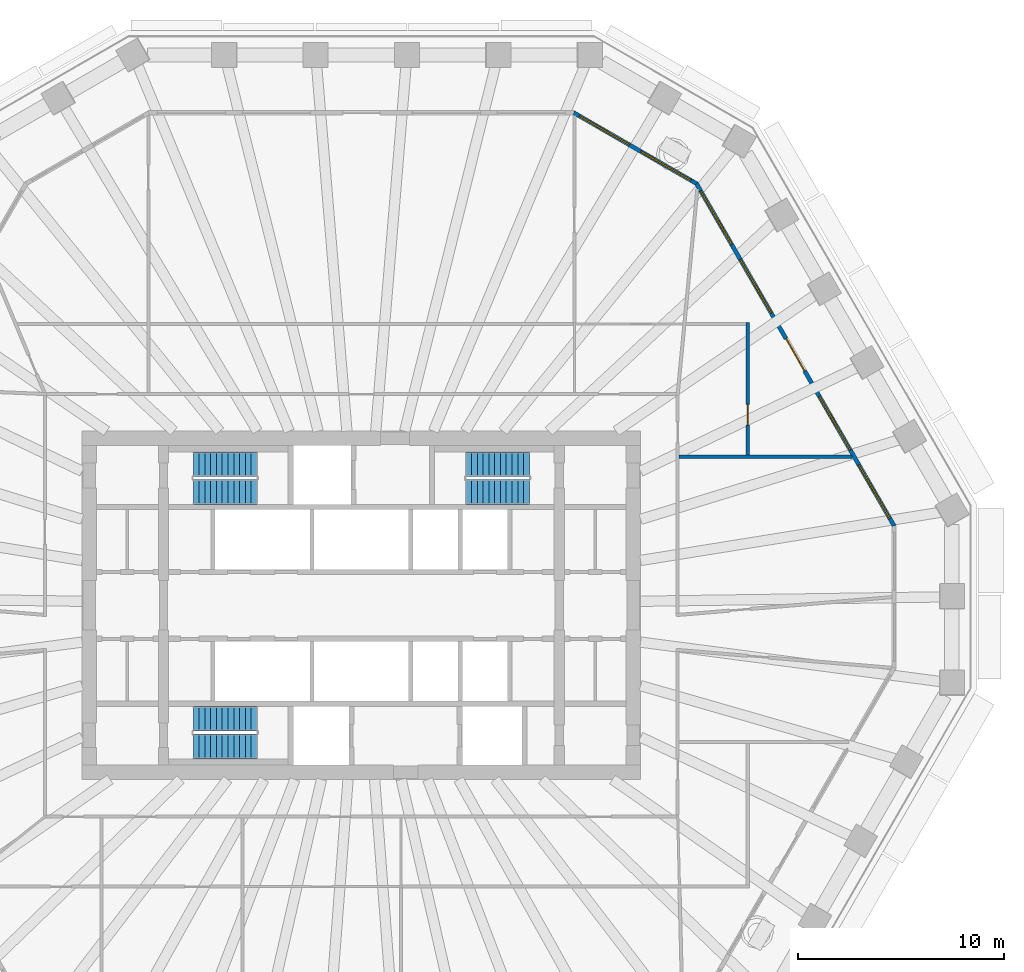
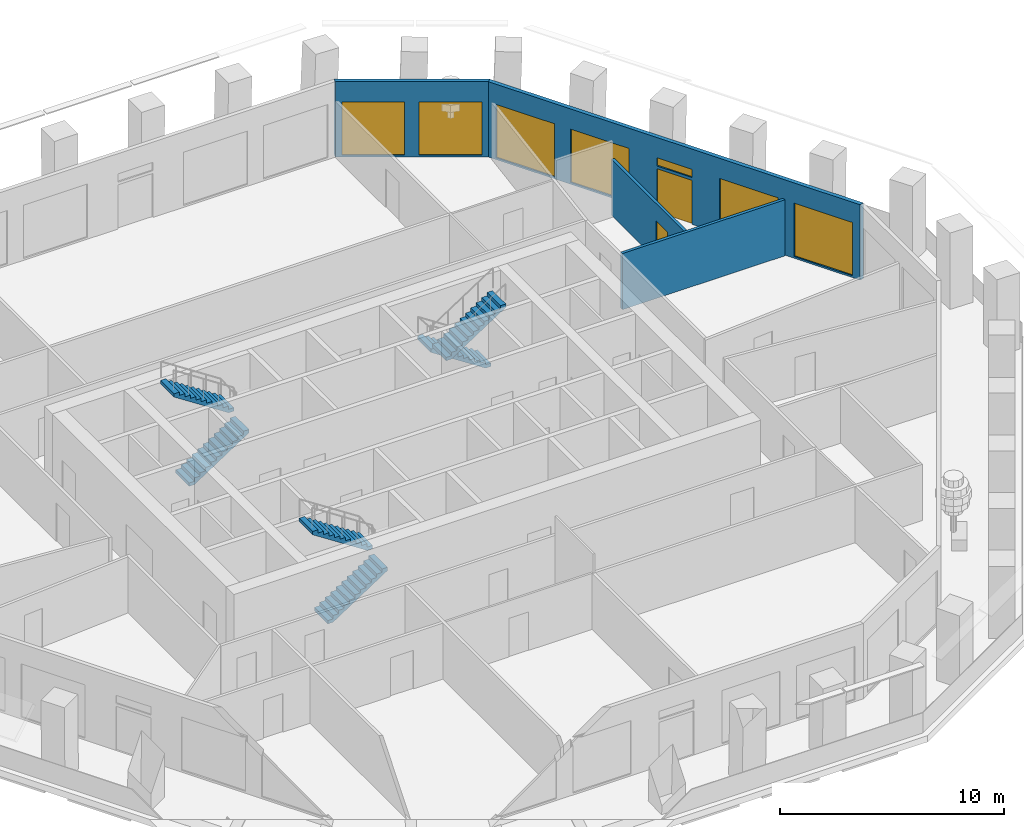
# One storey, part 8 of 12: 7 windows, 6 stair flights, 4 walls, 2 doors, 9 openings, 3 elements without a shape of their own.
"""IFC4 building model written with IfcOpenShell, lengths in metres."""

from ifc_helpers import new_model, si_unit, direction, frame, frame_2d, origin, place, context, subcontext, project, spatial, polyline, rectangle, outline, extrude, material, layer, layer_set, type_object, element, fill, aggregate, save


model = new_model("IFC4")

# Units and contexts
model_context = context("Model", 3, precision=1e-05, world=origin(), true_north=direction((0.0, 1.0)))
body_context = subcontext(model_context, "Body", "Model", "MODEL_VIEW")
ifc_project = project(units=[si_unit("LENGTHUNIT", "METRE"), si_unit("AREAUNIT", "SQUARE_METRE"), si_unit("VOLUMEUNIT", "CUBIC_METRE"), si_unit("PLANEANGLEUNIT", "RADIAN"), si_unit("MASSUNIT", "GRAM", prefix="KILO")], contexts=[model_context])

# Site, building, storey
site_placement = place(None, origin())
site = spatial("IfcSite", under=ifc_project, at=site_placement, CompositionType="ELEMENT")
building_placement = place(site_placement, origin())
building = spatial("IfcBuilding", under=site, at=building_placement, Name="Frailejon Research Tower", CompositionType="ELEMENT")
storey_placement = place(building_placement, frame((0.0, 0.0, 158.39990234375)))
storey = spatial("IfcBuildingStorey", under=building, at=storey_placement, Name="L34", CompositionType="ELEMENT", Elevation=158.39990234375)

# Wall
ifc_material_1 = material(Name="Gypsum board and masonry partition", Category="masonry")
ifc_layer_1 = layer(ifc_material_1, 0.14990234375)
ifc_layer_set_1 = layer_set([ifc_layer_1], Name="Laboratory partition, blockwork 150")
wall_type_1 = type_object("IfcWallType", Name="Laboratory partition, blockwork 150", PredefinedType="PARTITIONING", material=ifc_layer_set_1)
wall_1_placement = place(storey_placement, frame((15.425048828125, 7.210205078125, 0.0), z_axis=(0.0, 0.0, 1.0), x_axis=(1.0, 0.0, 0.0)))
element("IfcWall", 1, at=wall_1_placement, inside=storey, type_object=wall_type_1, Name="T:IW:L34:011", PredefinedType="PARTITIONING", context=body_context, shape_type="SweptSolid", body=[
    extrude(rectangle(XDim=8.373046875, YDim=0.14990234375, at=frame_2d((4.1865234375, 0.0))), origin(), (0.0, 0.0, 1.0), 3.050048828125),
])

# Wall, opening, door
wall_2_placement = place(storey_placement, frame((18.75, 7.285400390625, 0.0), z_axis=(0.0, 0.0, 1.0), x_axis=(0.0, 1.0, 0.0)))
wall_2 = element("IfcWall", 2, at=wall_2_placement, inside=storey, type_object=wall_type_1, Name="T:IW:L34:015", PredefinedType="PARTITIONING", context=body_context, shape_type="SweptSolid", body=[
    extrude(rectangle(XDim=6.439697265625, YDim=0.14990234375, at=frame_2d((3.2197265625, 0.0))), origin(), (0.0, 0.0, 1.0), 3.050048828125),
])
opening_1_placement = place(wall_2_placement, frame((1.4599609375, 0.0, 0.0)))
opening_1 = element("IfcOpeningElement", 3, at=opening_1_placement, cuts=wall_2, Name="Opening D1736", PredefinedType="OPENING", context=body_context, shape_type="SweptSolid", body=[
    extrude(rectangle(XDim=1.0, YDim=2.10009765625, at=frame_2d((0.5, 1.050048828125))), frame((0.0, 0.0849609375, 0.0), z_axis=(0.0, -1.0, 0.0), x_axis=(1.0, 0.0, 0.0)), (0.0, 0.0, 1.0), 0.169921875),
])
ifc_material_2 = material(Name="Timber door leaf", Category="wood")
door_type_1 = type_object("IfcDoorType", Name="Door laboratory, timber, vision panel 1000", OperationType="NOTDEFINED", PredefinedType="DOOR", material=ifc_material_2)
door_1_placement = place(opening_1_placement, origin())
door_1 = element("IfcDoor", 4, at=door_1_placement, inside=storey, type_object=door_type_1, Name="D1736", OperationType="SINGLE_SWING_RIGHT", OverallHeight=2.10009765625, OverallWidth=1.0, PredefinedType="DOOR", context=body_context, shape_type="SweptSolid", body=[
    extrude(rectangle(XDim=1.0, YDim=2.10009765625, at=frame_2d((0.5, 1.050048828125))), frame((0.0, 0.02490234375, 0.0), z_axis=(0.0, -1.0, 0.0), x_axis=(1.0, 0.0, 0.0)), (0.0, 0.0, 1.0), 0.050048828125),
])
fill(opening_1, door_1)

# Wall, openings, door, windows
ifc_material_3 = material(Name="Concrete C40/50 precast window wall panel", Category="concrete")
ifc_layer_2 = layer(ifc_material_3, 0.199951171875)
ifc_layer_set_2 = layer_set([ifc_layer_2], Name="Window wall 200")
wall_type_2 = type_object("IfcWallType", Name="Window wall 200", PredefinedType="SOLIDWALL", material=ifc_layer_set_2)
wall_3_placement = place(storey_placement, frame((25.852294921875, 3.85205078125, 0.0), z_axis=(0.0, 0.0, 1.0), x_axis=(-0.499998279088, 0.866026397351, 0.0)))
wall_3 = element("IfcWall", 5, at=wall_3_placement, inside=storey, type_object=wall_type_2, Name="Exterior wall L34", PredefinedType="SOLIDWALL", context=body_context, shape_type="SweptSolid", body=[
    extrude(outline(polyline([(-0.02685546875, -0.10009765625), (0.9853515625, -0.10009765625), (1.997802734375, -0.10009765625), (3.010009765625, -0.10009765625), (4.0224609375, -0.10009765625), (5.03466796875, -0.10009765625), (6.047119140625, -0.10009765625), (7.059326171875, -0.10009765625), (8.071533203125, -0.10009765625), (9.083984375, -0.10009765625), (10.09619140625, -0.10009765625), (11.108642578125, -0.10009765625), (12.120849609375, -0.10009765625), (13.133056640625, -0.10009765625), (14.1455078125, -0.10009765625), (15.15771484375, -0.10009765625), (16.170166015625, -0.10009765625), (17.182373046875, -0.10009765625), (18.19482421875, -0.10009765625), (19.20703125, -0.10009765625), (19.1533203125, 0.10009765625), (18.146728515625, 0.10009765625), (17.139892578125, 0.10009765625), (16.13330078125, 0.10009765625), (15.126708984375, 0.10009765625), (14.1201171875, 0.10009765625), (13.11328125, 0.10009765625), (12.106689453125, 0.10009765625), (11.10009765625, 0.10009765625), (10.093505859375, 0.10009765625), (9.086669921875, 0.10009765625), (8.080078125, 0.10009765625), (7.073486328125, 0.10009765625), (6.06689453125, 0.10009765625), (5.06005859375, 0.10009765625), (4.053466796875, 0.10009765625), (3.046875, 0.10009765625), (2.040283203125, 0.10009765625), (1.033447265625, 0.10009765625), (0.02685546875, 0.10009765625), (-0.02685546875, -0.10009765625)])), origin(), (0.0, 0.0, 1.0), 4.10009765625),
])
opening_2_placement = place(wall_3_placement, frame((0.41796875, 0.0, 0.10009765625)))
opening_2 = element("IfcOpeningElement", 6, at=opening_2_placement, cuts=wall_3, Name="Opening W4", PredefinedType="OPENING", context=body_context, shape_type="SweptSolid", body=[
    extrude(rectangle(XDim=3.0, YDim=2.89990234375, at=frame_2d((1.5, 1.449951171875))), frame((0.0, 0.10986328125, 0.0), z_axis=(0.0, -1.0, 0.0), x_axis=(1.0, 0.0, 0.0)), (0.0, 0.0, 1.0), 0.219970703125),
])
opening_3_placement = place(wall_3_placement, frame((4.254150390625, 0.0, 0.10009765625)))
opening_3 = element("IfcOpeningElement", 7, at=opening_3_placement, cuts=wall_3, Name="Opening W4", PredefinedType="OPENING", context=body_context, shape_type="SweptSolid", body=[
    extrude(rectangle(XDim=3.0, YDim=2.89990234375, at=frame_2d((1.5, 1.449951171875))), frame((0.0, 0.10986328125, 0.0), z_axis=(0.0, -1.0, 0.0), x_axis=(1.0, 0.0, 0.0)), (0.0, 0.0, 1.0), 0.219970703125),
])
opening_4_placement = place(wall_3_placement, frame((8.690185546875, 0.0, 0.0)))
opening_4 = element("IfcOpeningElement", 8, at=opening_4_placement, cuts=wall_3, Name="Opening LG34-1", PredefinedType="OPENING", context=body_context, shape_type="SweptSolid", body=[
    extrude(rectangle(XDim=1.800048828125, YDim=2.39990234375, at=frame_2d((0.89990234375, 1.199951171875))), frame((0.0, 0.10986328125, 0.0), z_axis=(0.0, -1.0, 0.0), x_axis=(1.0, 0.0, 0.0)), (0.0, 0.0, 1.0), 0.219970703125),
])
opening_5_placement = place(wall_3_placement, frame((8.690185546875, 0.0, 2.550048828125)))
opening_5 = element("IfcOpeningElement", 9, at=opening_5_placement, cuts=wall_3, Name="Opening W1", PredefinedType="OPENING", context=body_context, shape_type="SweptSolid", body=[
    extrude(rectangle(XDim=1.800048828125, YDim=0.449951171875, at=frame_2d((0.89990234375, 0.22509765625))), frame((0.0, 0.10986328125, 0.0), z_axis=(0.0, -1.0, 0.0), x_axis=(1.0, 0.0, 0.0)), (0.0, 0.0, 1.0), 0.219970703125),
])
opening_6_placement = place(wall_3_placement, frame((11.92626953125, 0.0, 0.10009765625)))
opening_6 = element("IfcOpeningElement", 10, at=opening_6_placement, cuts=wall_3, Name="Opening W4", PredefinedType="OPENING", context=body_context, shape_type="SweptSolid", body=[
    extrude(rectangle(XDim=3.0, YDim=2.89990234375, at=frame_2d((1.5, 1.449951171875))), frame((0.0, 0.10986328125, 0.0), z_axis=(0.0, -1.0, 0.0), x_axis=(1.0, 0.0, 0.0)), (0.0, 0.0, 1.0), 0.219970703125),
])
opening_7_placement = place(wall_3_placement, frame((15.76220703125, 0.0, 0.10009765625)))
opening_7 = element("IfcOpeningElement", 11, at=opening_7_placement, cuts=wall_3, Name="Opening W4", PredefinedType="OPENING", context=body_context, shape_type="SweptSolid", body=[
    extrude(rectangle(XDim=3.0, YDim=2.89990234375, at=frame_2d((1.5, 1.449951171875))), frame((0.0, 0.10986328125, 0.0), z_axis=(0.0, -1.0, 0.0), x_axis=(1.0, 0.0, 0.0)), (0.0, 0.0, 1.0), 0.219970703125),
])
ifc_material_4 = material(Name="Aluminium framed glazed door leaf", Category="aluminium")
door_type_2 = type_object("IfcDoorType", Name="Loggia door 1800x2400", OperationType="DOUBLE_DOOR_SINGLE_SWING", PredefinedType="DOOR", material=ifc_material_4)
door_2_placement = place(opening_4_placement, origin())
door_2 = element("IfcDoor", 12, at=door_2_placement, inside=storey, type_object=door_type_2, Name="Door LG34-1", OperationType="DOUBLE_DOOR_SINGLE_SWING", OverallHeight=2.39990234375, OverallWidth=1.800048828125, PredefinedType="DOOR", context=body_context, shape_type="SweptSolid", body=[
    extrude(rectangle(XDim=1.800048828125, YDim=2.39990234375, at=frame_2d((0.89990234375, 1.199951171875))), frame((0.0, 0.02490234375, 0.0), z_axis=(0.0, -1.0, 0.0), x_axis=(1.0, 0.0, 0.0)), (0.0, 0.0, 1.0), 0.050048828125),
])
fill(opening_4, door_2)
ifc_material_5 = material(Name="Aluminium framed double glazing", Category="aluminium")
window_type_1 = type_object("IfcWindowType", Name="Window 1800x450", PartitioningType="SINGLE_PANEL", PredefinedType="WINDOW", material=ifc_material_5)
window_1_placement = place(opening_5_placement, origin())
window_1 = element("IfcWindow", 13, at=window_1_placement, inside=storey, type_object=window_type_1, Name="Window L34", OverallHeight=0.449951171875, OverallWidth=1.800048828125, PartitioningType="SINGLE_PANEL", PredefinedType="WINDOW", context=body_context, shape_type="SweptSolid", body=[
    extrude(rectangle(XDim=1.800048828125, YDim=0.449951171875, at=frame_2d((0.89990234375, 0.22509765625))), frame((0.0, 0.030029296875, 0.0), z_axis=(0.0, -1.0, 0.0), x_axis=(1.0, 0.0, 0.0)), (0.0, 0.0, 1.0), 0.06005859375),
])
fill(opening_5, window_1)
ifc_material_6 = material(Name="Aluminium framed double glazing", Category="aluminium")
window_type_2 = type_object("IfcWindowType", Name="Window 3000x2900", PartitioningType="SINGLE_PANEL", PredefinedType="WINDOW", material=ifc_material_6)
window_2_placement = place(opening_2_placement, origin())
window_2 = element("IfcWindow", 14, at=window_2_placement, inside=storey, type_object=window_type_2, Name="Window L34", OverallHeight=2.89990234375, OverallWidth=3.0, PartitioningType="SINGLE_PANEL", PredefinedType="WINDOW", context=body_context, shape_type="SweptSolid", body=[
    extrude(rectangle(XDim=3.0, YDim=2.89990234375, at=frame_2d((1.5, 1.449951171875))), frame((0.0, 0.030029296875, 0.0), z_axis=(0.0, -1.0, 0.0), x_axis=(1.0, 0.0, 0.0)), (0.0, 0.0, 1.0), 0.06005859375),
])
fill(opening_2, window_2)
window_3_placement = place(opening_3_placement, origin())
window_3 = element("IfcWindow", 15, at=window_3_placement, inside=storey, type_object=window_type_2, Name="Window L34", OverallHeight=2.89990234375, OverallWidth=3.0, PartitioningType="SINGLE_PANEL", PredefinedType="WINDOW", context=body_context, shape_type="SweptSolid", body=[
    extrude(rectangle(XDim=3.0, YDim=2.89990234375, at=frame_2d((1.5, 1.449951171875))), frame((0.0, 0.030029296875, 0.0), z_axis=(0.0, -1.0, 0.0), x_axis=(1.0, 0.0, 0.0)), (0.0, 0.0, 1.0), 0.06005859375),
])
fill(opening_3, window_3)
window_4_placement = place(opening_6_placement, origin())
window_4 = element("IfcWindow", 16, at=window_4_placement, inside=storey, type_object=window_type_2, Name="Window L34", OverallHeight=2.89990234375, OverallWidth=3.0, PartitioningType="SINGLE_PANEL", PredefinedType="WINDOW", context=body_context, shape_type="SweptSolid", body=[
    extrude(rectangle(XDim=3.0, YDim=2.89990234375, at=frame_2d((1.5, 1.449951171875))), frame((0.0, 0.030029296875, 0.0), z_axis=(0.0, -1.0, 0.0), x_axis=(1.0, 0.0, 0.0)), (0.0, 0.0, 1.0), 0.06005859375),
])
fill(opening_6, window_4)
window_5_placement = place(opening_7_placement, origin())
window_5 = element("IfcWindow", 17, at=window_5_placement, inside=storey, type_object=window_type_2, Name="Window L34", OverallHeight=2.89990234375, OverallWidth=3.0, PartitioningType="SINGLE_PANEL", PredefinedType="WINDOW", context=body_context, shape_type="SweptSolid", body=[
    extrude(rectangle(XDim=3.0, YDim=2.89990234375, at=frame_2d((1.5, 1.449951171875))), frame((0.0, 0.030029296875, 0.0), z_axis=(0.0, -1.0, 0.0), x_axis=(1.0, 0.0, 0.0)), (0.0, 0.0, 1.0), 0.06005859375),
])
fill(opening_7, window_5)

# Wall, openings, windows
wall_4_placement = place(storey_placement, frame((16.26220703125, 20.462646484375, 0.0), z_axis=(0.0, 0.0, 1.0), x_axis=(-0.866029458321, 0.49999297727, 0.0)))
wall_4 = element("IfcWall", 18, at=wall_4_placement, inside=storey, type_object=wall_type_2, Name="Exterior wall L34", PredefinedType="SOLIDWALL", context=body_context, shape_type="SweptSolid", body=[
    extrude(outline(polyline([(-0.02685546875, -0.10009765625), (1.1279296875, -0.10009765625), (2.282470703125, -0.10009765625), (3.437255859375, -0.10009765625), (4.592041015625, -0.10009765625), (5.74658203125, -0.10009765625), (6.9013671875, -0.10009765625), (6.84765625, 0.10009765625), (5.7109375, 0.10009765625), (4.573974609375, 0.10009765625), (3.437255859375, 0.10009765625), (2.300537109375, 0.10009765625), (1.16357421875, 0.10009765625), (0.02685546875, 0.10009765625), (-0.02685546875, -0.10009765625)])), origin(), (0.0, 0.0, 1.0), 4.10009765625),
])
opening_8_placement = place(wall_4_placement, frame((0.318603515625, 0.0, 0.10009765625)))
opening_8 = element("IfcOpeningElement", 19, at=opening_8_placement, cuts=wall_4, Name="Opening W3", PredefinedType="OPENING", context=body_context, shape_type="SweptSolid", body=[
    extrude(rectangle(XDim=2.800048828125, YDim=2.89990234375, at=frame_2d((1.39990234375, 1.449951171875))), frame((0.0, 0.10986328125, 0.0), z_axis=(0.0, -1.0, 0.0), x_axis=(1.0, 0.0, 0.0)), (0.0, 0.0, 1.0), 0.219970703125),
])
opening_9_placement = place(wall_4_placement, frame((3.756103515625, 0.0, 0.10009765625)))
opening_9 = element("IfcOpeningElement", 20, at=opening_9_placement, cuts=wall_4, Name="Opening W3", PredefinedType="OPENING", context=body_context, shape_type="SweptSolid", body=[
    extrude(rectangle(XDim=2.800048828125, YDim=2.89990234375, at=frame_2d((1.39990234375, 1.449951171875))), frame((0.0, 0.10986328125, 0.0), z_axis=(0.0, -1.0, 0.0), x_axis=(1.0, 0.0, 0.0)), (0.0, 0.0, 1.0), 0.219970703125),
])
ifc_material_7 = material(Name="Aluminium framed double glazing", Category="aluminium")
window_type_3 = type_object("IfcWindowType", Name="Window 2800x2900", PartitioningType="SINGLE_PANEL", PredefinedType="WINDOW", material=ifc_material_7)
window_6_placement = place(opening_8_placement, origin())
window_6 = element("IfcWindow", 21, at=window_6_placement, inside=storey, type_object=window_type_3, Name="Window L34", OverallHeight=2.89990234375, OverallWidth=2.800048828125, PartitioningType="SINGLE_PANEL", PredefinedType="WINDOW", context=body_context, shape_type="SweptSolid", body=[
    extrude(rectangle(XDim=2.800048828125, YDim=2.89990234375, at=frame_2d((1.39990234375, 1.449951171875))), frame((0.0, 0.030029296875, 0.0), z_axis=(0.0, -1.0, 0.0), x_axis=(1.0, 0.0, 0.0)), (0.0, 0.0, 1.0), 0.06005859375),
])
fill(opening_8, window_6)
window_7_placement = place(opening_9_placement, origin())
window_7 = element("IfcWindow", 22, at=window_7_placement, inside=storey, type_object=window_type_3, Name="Window L34", OverallHeight=2.89990234375, OverallWidth=2.800048828125, PartitioningType="SINGLE_PANEL", PredefinedType="WINDOW", context=body_context, shape_type="SweptSolid", body=[
    extrude(rectangle(XDim=2.800048828125, YDim=2.89990234375, at=frame_2d((1.39990234375, 1.449951171875))), frame((0.0, 0.030029296875, 0.0), z_axis=(0.0, -1.0, 0.0), x_axis=(1.0, 0.0, 0.0)), (0.0, 0.0, 1.0), 0.06005859375),
])
fill(opening_9, window_7)

# Stair, stair flights
ifc_material_8 = material(Name="Concrete C50/60", Category="concrete")
stair_type = type_object("IfcStairType", Name="Exit stair 24 risers", PredefinedType="HALF_TURN_STAIR", material=ifc_material_8)
stair_1_placement = place(storey_placement, origin())
stair_1 = element("IfcStair", 23, at=stair_1_placement, inside=storey, type_object=stair_type, Name="L34 Exit stair ST1", PredefinedType="HALF_TURN_STAIR")
ifc_material_9 = material(Name="Concrete C50/60", Category="concrete")
ifc_layer_3 = layer(ifc_material_9, 0.14990234375)
ifc_layer_set_3 = layer_set([ifc_layer_3], Name="Stair flight 12 risers")
stair_flight_type = type_object("IfcStairFlightType", Name="Stair flight 12 risers", PredefinedType="STRAIGHT", material=ifc_layer_set_3)
stair_flight_1_placement = place(storey_placement, frame((-8.14990234375, 5.5, 0.0), z_axis=(0.0, 0.0, 1.0), x_axis=(1.0, 0.0, 0.0)))
stair_flight_1 = element("IfcStairFlight", 24, at=stair_flight_1_placement, type_object=stair_flight_type, Name="ST1 flight 1", NumberOfRisers=12, NumberOfTreads=11, PredefinedType="STRAIGHT", RiserHeight=0.183333333, TreadLength=0.28, context=body_context, shape_type="SweptSolid", body=[
    extrude(outline(polyline([(0.0, 0.0), (0.0, 0.183349609375), (0.280029296875, 0.183349609375), (0.280029296875, 0.36669921875), (0.56005859375, 0.36669921875), (0.56005859375, 0.550048828125), (0.840087890625, 0.550048828125), (0.840087890625, 0.7333984375), (1.1201171875, 0.7333984375), (1.1201171875, 0.916748046875), (1.39990234375, 0.916748046875), (1.39990234375, 1.10009765625), (1.679931640625, 1.10009765625), (1.679931640625, 1.283447265625), (1.9599609375, 1.283447265625), (1.9599609375, 1.466552734375), (2.239990234375, 1.466552734375), (2.239990234375, 1.64990234375), (2.52001953125, 1.64990234375), (2.52001953125, 1.833251953125), (2.800048828125, 1.833251953125), (2.800048828125, 2.0166015625), (3.080078125, 2.0166015625), (3.080078125, 2.199951171875), (3.080078125, 1.83740234375), (0.273681640625, 0.0), (0.0, 0.0)])), frame((0.0, 0.60009765625, 0.0), z_axis=(0.0, -1.0, 0.0), x_axis=(1.0, 0.0, 0.0)), (0.0, 0.0, 1.0), 1.199951171875),
])
stair_flight_2_placement = place(storey_placement, frame((-5.070068359375, 6.85009765625, 2.2001953125), z_axis=(0.0, 0.0, 1.0), x_axis=(-1.0, 0.0, 0.0)))
stair_flight_2 = element("IfcStairFlight", 25, at=stair_flight_2_placement, type_object=stair_flight_type, Name="ST1 flight 2", NumberOfRisers=12, NumberOfTreads=11, PredefinedType="STRAIGHT", RiserHeight=0.183333333, TreadLength=0.28, context=body_context, shape_type="SweptSolid", body=[
    extrude(outline(polyline([(0.0, 0.0), (0.0, 0.183349609375), (0.280029296875, 0.183349609375), (0.280029296875, 0.36669921875), (0.56005859375, 0.36669921875), (0.56005859375, 0.550048828125), (0.840087890625, 0.550048828125), (0.840087890625, 0.7333984375), (1.1201171875, 0.7333984375), (1.1201171875, 0.916748046875), (1.39990234375, 0.916748046875), (1.39990234375, 1.10009765625), (1.679931640625, 1.10009765625), (1.679931640625, 1.283447265625), (1.9599609375, 1.283447265625), (1.9599609375, 1.466552734375), (2.239990234375, 1.466552734375), (2.239990234375, 1.64990234375), (2.52001953125, 1.64990234375), (2.52001953125, 1.833251953125), (2.800048828125, 1.833251953125), (2.800048828125, 2.0166015625), (3.080078125, 2.0166015625), (3.080078125, 2.199951171875), (3.080078125, 1.83740234375), (0.273681640625, 0.0), (0.0, 0.0)])), frame((0.0, 0.60009765625, 0.0), z_axis=(0.0, -1.0, 0.0), x_axis=(1.0, 0.0, 0.0)), (0.0, 0.0, 1.0), 1.199951171875),
])
aggregate(stair_1, [stair_flight_1, stair_flight_2])

stair_2_placement = place(storey_placement, origin())
stair_2 = element("IfcStair", 26, at=stair_2_placement, inside=storey, type_object=stair_type, Name="L34 Exit stair ST2", PredefinedType="HALF_TURN_STAIR")
stair_flight_3_placement = place(storey_placement, frame((-8.14990234375, -6.85009765625, 0.0), z_axis=(0.0, 0.0, 1.0), x_axis=(1.0, 0.0, 0.0)))
stair_flight_3 = element("IfcStairFlight", 27, at=stair_flight_3_placement, type_object=stair_flight_type, Name="ST2 flight 1", NumberOfRisers=12, NumberOfTreads=11, PredefinedType="STRAIGHT", RiserHeight=0.183333333, TreadLength=0.28, context=body_context, shape_type="SweptSolid", body=[
    extrude(outline(polyline([(0.0, 0.0), (0.0, 0.183349609375), (0.280029296875, 0.183349609375), (0.280029296875, 0.36669921875), (0.56005859375, 0.36669921875), (0.56005859375, 0.550048828125), (0.840087890625, 0.550048828125), (0.840087890625, 0.7333984375), (1.1201171875, 0.7333984375), (1.1201171875, 0.916748046875), (1.39990234375, 0.916748046875), (1.39990234375, 1.10009765625), (1.679931640625, 1.10009765625), (1.679931640625, 1.283447265625), (1.9599609375, 1.283447265625), (1.9599609375, 1.466552734375), (2.239990234375, 1.466552734375), (2.239990234375, 1.64990234375), (2.52001953125, 1.64990234375), (2.52001953125, 1.833251953125), (2.800048828125, 1.833251953125), (2.800048828125, 2.0166015625), (3.080078125, 2.0166015625), (3.080078125, 2.199951171875), (3.080078125, 1.83740234375), (0.273681640625, 0.0), (0.0, 0.0)])), frame((0.0, 0.60009765625, 0.0), z_axis=(0.0, -1.0, 0.0), x_axis=(1.0, 0.0, 0.0)), (0.0, 0.0, 1.0), 1.199951171875),
])
stair_flight_4_placement = place(storey_placement, frame((-5.070068359375, -5.5, 2.2001953125), z_axis=(0.0, 0.0, 1.0), x_axis=(-1.0, 0.0, 0.0)))
stair_flight_4 = element("IfcStairFlight", 28, at=stair_flight_4_placement, type_object=stair_flight_type, Name="ST2 flight 2", NumberOfRisers=12, NumberOfTreads=11, PredefinedType="STRAIGHT", RiserHeight=0.183333333, TreadLength=0.28, context=body_context, shape_type="SweptSolid", body=[
    extrude(outline(polyline([(0.0, 0.0), (0.0, 0.183349609375), (0.280029296875, 0.183349609375), (0.280029296875, 0.36669921875), (0.56005859375, 0.36669921875), (0.56005859375, 0.550048828125), (0.840087890625, 0.550048828125), (0.840087890625, 0.7333984375), (1.1201171875, 0.7333984375), (1.1201171875, 0.916748046875), (1.39990234375, 0.916748046875), (1.39990234375, 1.10009765625), (1.679931640625, 1.10009765625), (1.679931640625, 1.283447265625), (1.9599609375, 1.283447265625), (1.9599609375, 1.466552734375), (2.239990234375, 1.466552734375), (2.239990234375, 1.64990234375), (2.52001953125, 1.64990234375), (2.52001953125, 1.833251953125), (2.800048828125, 1.833251953125), (2.800048828125, 2.0166015625), (3.080078125, 2.0166015625), (3.080078125, 2.199951171875), (3.080078125, 1.83740234375), (0.273681640625, 0.0), (0.0, 0.0)])), frame((0.0, 0.60009765625, 0.0), z_axis=(0.0, -1.0, 0.0), x_axis=(1.0, 0.0, 0.0)), (0.0, 0.0, 1.0), 1.199951171875),
])
aggregate(stair_2, [stair_flight_3, stair_flight_4])

stair_3_placement = place(storey_placement, origin())
stair_3 = element("IfcStair", 29, at=stair_3_placement, inside=storey, type_object=stair_type, Name="L34 Exit stair ST3", PredefinedType="HALF_TURN_STAIR")
stair_flight_5_placement = place(storey_placement, frame((8.14990234375, 6.85009765625, 0.0), z_axis=(0.0, 0.0, 1.0), x_axis=(-1.0, 0.0, 0.0)))
stair_flight_5 = element("IfcStairFlight", 30, at=stair_flight_5_placement, type_object=stair_flight_type, Name="ST3 flight 1", NumberOfRisers=12, NumberOfTreads=11, PredefinedType="STRAIGHT", RiserHeight=0.183333333, TreadLength=0.28, context=body_context, shape_type="SweptSolid", body=[
    extrude(outline(polyline([(0.0, 0.0), (0.0, 0.183349609375), (0.280029296875, 0.183349609375), (0.280029296875, 0.36669921875), (0.56005859375, 0.36669921875), (0.56005859375, 0.550048828125), (0.840087890625, 0.550048828125), (0.840087890625, 0.7333984375), (1.1201171875, 0.7333984375), (1.1201171875, 0.916748046875), (1.39990234375, 0.916748046875), (1.39990234375, 1.10009765625), (1.679931640625, 1.10009765625), (1.679931640625, 1.283447265625), (1.9599609375, 1.283447265625), (1.9599609375, 1.466552734375), (2.239990234375, 1.466552734375), (2.239990234375, 1.64990234375), (2.52001953125, 1.64990234375), (2.52001953125, 1.833251953125), (2.800048828125, 1.833251953125), (2.800048828125, 2.0166015625), (3.080078125, 2.0166015625), (3.080078125, 2.199951171875), (3.080078125, 1.83740234375), (0.273681640625, 0.0), (0.0, 0.0)])), frame((0.0, 0.60009765625, 0.0), z_axis=(0.0, -1.0, 0.0), x_axis=(1.0, 0.0, 0.0)), (0.0, 0.0, 1.0), 1.199951171875),
])
stair_flight_6_placement = place(storey_placement, frame((5.070068359375, 5.5, 2.2001953125), z_axis=(0.0, 0.0, 1.0), x_axis=(1.0, 0.0, 0.0)))
stair_flight_6 = element("IfcStairFlight", 31, at=stair_flight_6_placement, type_object=stair_flight_type, Name="ST3 flight 2", NumberOfRisers=12, NumberOfTreads=11, PredefinedType="STRAIGHT", RiserHeight=0.183333333, TreadLength=0.28, context=body_context, shape_type="SweptSolid", body=[
    extrude(outline(polyline([(0.0, 0.0), (0.0, 0.183349609375), (0.280029296875, 0.183349609375), (0.280029296875, 0.36669921875), (0.56005859375, 0.36669921875), (0.56005859375, 0.550048828125), (0.840087890625, 0.550048828125), (0.840087890625, 0.7333984375), (1.1201171875, 0.7333984375), (1.1201171875, 0.916748046875), (1.39990234375, 0.916748046875), (1.39990234375, 1.10009765625), (1.679931640625, 1.10009765625), (1.679931640625, 1.283447265625), (1.9599609375, 1.283447265625), (1.9599609375, 1.466552734375), (2.239990234375, 1.466552734375), (2.239990234375, 1.64990234375), (2.52001953125, 1.64990234375), (2.52001953125, 1.833251953125), (2.800048828125, 1.833251953125), (2.800048828125, 2.0166015625), (3.080078125, 2.0166015625), (3.080078125, 2.199951171875), (3.080078125, 1.83740234375), (0.273681640625, 0.0), (0.0, 0.0)])), frame((0.0, 0.60009765625, 0.0), z_axis=(0.0, -1.0, 0.0), x_axis=(1.0, 0.0, 0.0)), (0.0, 0.0, 1.0), 1.199951171875),
])
aggregate(stair_3, [stair_flight_5, stair_flight_6])

save(model, "model.ifc")
